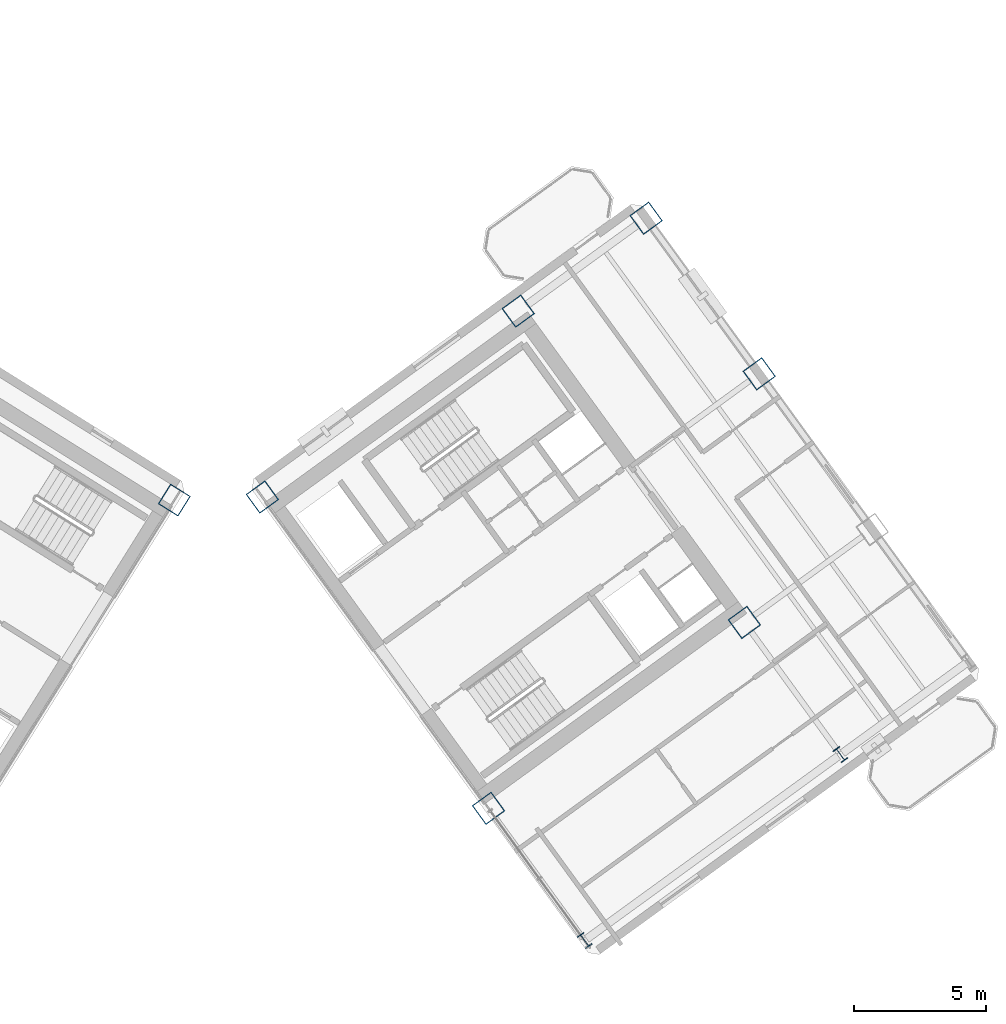
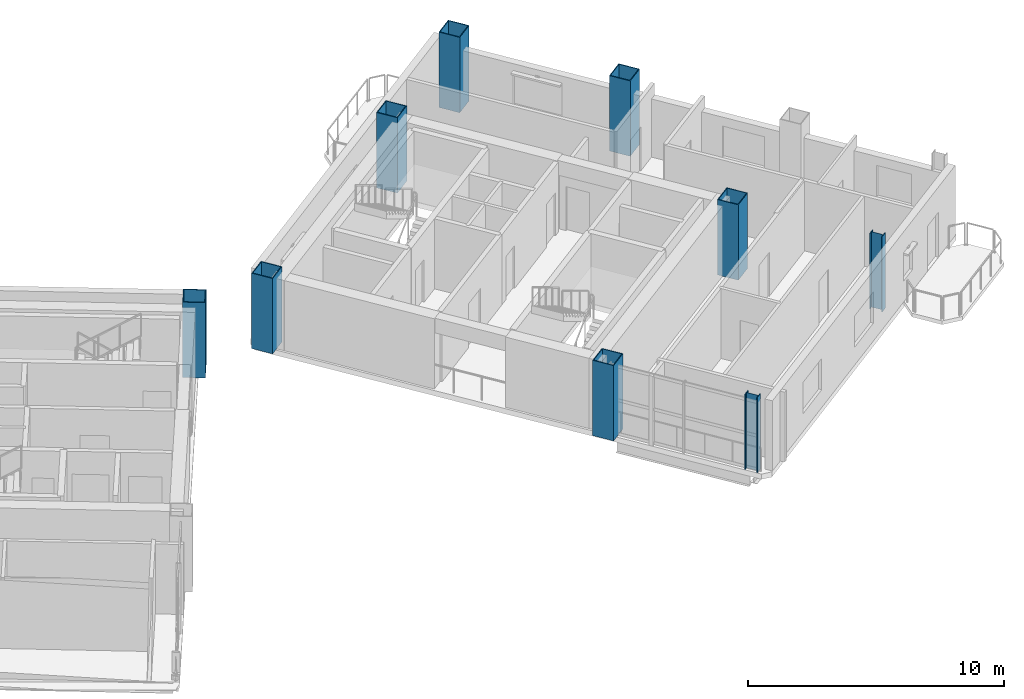
# One storey, part 2 of 19: 9 columns.
"""IFC4 building model written with IfcOpenShell, lengths in metres."""

import ifcopenshell
import ifcopenshell.guid

model = None  # the IFC model being written
_history = None  # IfcOwnerHistory: only IFC2X3 demands one
_inside = {}  # id of a spatial element -> (the spatial element, [elements in it])
_under = {}  # id of a project, library or spatial element -> (it, [spatial elements below it])
_declared = {}  # id of a project -> (the project, [libraries it declares])
_typed = {}  # id of a type object -> (the type object, [elements of that type])
_made_of = {}  # id of a material, layer set ... -> (it, [elements and type objects made of it])


def new_model(schema):
    """Start an empty IFC model of exactly this schema.

    Asked for "IFC4X3", IfcOpenShell would pick the latest addendum, in which some entities
    have other attributes; the version numbers below select the first issue.
    IFC2X3 requires an IfcOwnerHistory on every rooted entity: one is made here for all.
    """
    global model, _history
    if schema == "IFC4X3":
        model = ifcopenshell.file(schema_version=(4, 3, 0, 0))
    else:
        model = ifcopenshell.file(schema=schema)
    _inside.clear()
    _under.clear()
    _declared.clear()
    _typed.clear()
    _made_of.clear()
    _history = None
    if model.schema == "IFC2X3":
        org = make("IfcOrganization", Name="unknown")
        user = make(
            "IfcPersonAndOrganization",
            ThePerson=make("IfcPerson", FamilyName="unknown"),
            TheOrganization=org,
        )
        app = make(
            "IfcApplication",
            ApplicationDeveloper=org,
            Version="unknown",
            ApplicationFullName="unknown",
            ApplicationIdentifier="unknown",
        )
        _history = make(
            "IfcOwnerHistory",
            OwningUser=user,
            OwningApplication=app,
            ChangeAction="ADDED",
            CreationDate=0,
        )
    return model


def make(cls, **values):
    """One entity of the class cls with the attributes given. An attribute that is None is left unset."""
    return model.create_entity(
        cls, **{name: value for name, value in values.items() if value is not None}
    )


def rooted(cls, **values):
    """An entity with a GlobalId (a new one), such as an element, a storey or a relation."""
    return make(cls, GlobalId=ifcopenshell.guid.new(), OwnerHistory=_history, **values)


def si_unit(unit_type, name, prefix=None):
    """IfcSIUnit, for example si_unit("LENGTHUNIT", "METRE", prefix="MILLI")."""
    return make("IfcSIUnit", UnitType=unit_type, Prefix=prefix, Name=name)


def assignment(units):
    """IfcUnitAssignment: the units of a project."""
    return None if units is None else make("IfcUnitAssignment", Units=units)


def point(xyz):
    """IfcCartesianPoint."""
    return None if xyz is None else make("IfcCartesianPoint", Coordinates=xyz)


def direction(xyz):
    """IfcDirection."""
    return None if xyz is None else make("IfcDirection", DirectionRatios=xyz)


def frame(location, z_axis=None, x_axis=None):
    """IfcAxis2Placement3D, a coordinate frame: its origin and axes. An axis left out is left unset."""
    return make(
        "IfcAxis2Placement3D",
        Location=point(location),
        Axis=direction(z_axis),
        RefDirection=direction(x_axis),
    )


def frame_2d(location, x_axis=None):
    """IfcAxis2Placement2D, a coordinate frame in the plane: its origin and x axis."""
    return make(
        "IfcAxis2Placement2D", Location=point(location), RefDirection=direction(x_axis)
    )


def origin():
    """The frame at (0, 0, 0) with its axes left unset."""
    return frame((0.0, 0.0, 0.0))


def origin_2d():
    """The frame at (0, 0) in the plane with its x axis left unset."""
    return frame_2d((0.0, 0.0))


def place(relative_to, where):
    """IfcLocalPlacement: puts the frame where relative to a parent placement (None: the world)."""
    return make(
        "IfcLocalPlacement", PlacementRelTo=relative_to, RelativePlacement=where
    )


def context(
    kind, dimensions, precision=None, world=None, true_north=None, identifier=None
):
    """IfcGeometricRepresentationContext, for example the 3D "Model" context."""
    return make(
        "IfcGeometricRepresentationContext",
        ContextIdentifier=identifier,
        ContextType=kind,
        CoordinateSpaceDimension=dimensions,
        Precision=precision,
        WorldCoordinateSystem=world,
        TrueNorth=true_north,
    )


def subcontext(parent, identifier, kind, view, scale=None):
    """IfcGeometricRepresentationSubContext, for example "Body" below "Model"."""
    return make(
        "IfcGeometricRepresentationSubContext",
        ContextIdentifier=identifier,
        ContextType=kind,
        ParentContext=parent,
        TargetScale=scale,
        TargetView=view,
    )


def project(units=None, contexts=None):
    """IfcProject with its units and contexts."""
    return rooted(
        "IfcProject",
        Name="project",
        RepresentationContexts=contexts,
        UnitsInContext=assignment(units),
    )


def spatial(cls, under=None, at=None, **own):
    """A site, building, storey or space (cls), placed at a placement, below another one or the project."""
    s = rooted(cls, ObjectPlacement=at, **own)
    if under is not None:
        _under.setdefault(under.id(), (under, []))[1].append(s)
    return s


def profile(cls, at=None, kind="AREA", **sizes):
    """A parametric profile (cls). Its sizes go by their IFC names, for example OverallWidth=200.0."""
    return make(cls, ProfileType=kind, Position=at, **sizes)


def hollow_rectangle(**sizes):
    """IfcRectangleHollowProfileDef."""
    return profile("IfcRectangleHollowProfileDef", **sizes)


def i_section(**sizes):
    """IfcIShapeProfileDef."""
    return profile("IfcIShapeProfileDef", **sizes)


def extrude(swept, where, along, depth):
    """IfcExtrudedAreaSolid: the profile swept, set in the frame where, extruded along a direction by depth."""
    return make(
        "IfcExtrudedAreaSolid",
        SweptArea=swept,
        Position=where,
        ExtrudedDirection=direction(along),
        Depth=depth,
    )


def shape(context_of_items, identifier, shape_type, items):
    """IfcShapeRepresentation: the items that make up one representation, for example the "Body"."""
    return make(
        "IfcShapeRepresentation",
        ContextOfItems=context_of_items,
        RepresentationIdentifier=identifier,
        RepresentationType=shape_type,
        Items=items,
    )


def source(mapping_origin, context_of_items, identifier, shape_type, items):
    """IfcRepresentationMap: a shape defined once, which mapped items show again and again."""
    return make(
        "IfcRepresentationMap",
        MappingOrigin=mapping_origin,
        MappedRepresentation=shape(context_of_items, identifier, shape_type, items),
    )


def transform(
    local_origin,
    x_axis=None,
    y_axis=None,
    z_axis=None,
    scale=None,
    scale2=None,
    scale3=None,
    uniform=True,
):
    """IfcCartesianTransformationOperator3D, or its non-uniform kind. x_axis, y_axis, z_axis: its Axis1, 2, 3."""
    if uniform:
        return make(
            "IfcCartesianTransformationOperator3D",
            Axis1=direction(x_axis),
            Axis2=direction(y_axis),
            LocalOrigin=point(local_origin),
            Scale=scale,
            Axis3=direction(z_axis),
        )
    return make(
        "IfcCartesianTransformationOperator3DnonUniform",
        Axis1=direction(x_axis),
        Axis2=direction(y_axis),
        LocalOrigin=point(local_origin),
        Scale=scale,
        Axis3=direction(z_axis),
        Scale2=scale2,
        Scale3=scale3,
    )


def mapped(mapping_source, mapping_target):
    """IfcMappedItem: shows the shape of a source again, moved by a transform."""
    return make(
        "IfcMappedItem", MappingSource=mapping_source, MappingTarget=mapping_target
    )


def material(Name=None, Category=None):
    """IfcMaterial."""
    return make("IfcMaterial", Name=Name, Category=Category)


def material_profile(
    of_material, cross_section, Name=None, Category=None, Priority=None
):
    """IfcMaterialProfile: a cross section and its material."""
    return make(
        "IfcMaterialProfile",
        Name=Name,
        Material=of_material,
        Profile=cross_section,
        Priority=Priority,
        Category=Category,
    )


def profile_set(profiles, Name=None, composite=None):
    """IfcMaterialProfileSet."""
    return make(
        "IfcMaterialProfileSet",
        Name=Name,
        MaterialProfiles=profiles,
        CompositeProfile=composite,
    )


def made_of(thing, what):
    """Note that an element or type object is made of a material, layer set ...; save() writes the relation."""
    if what is not None:
        _made_of.setdefault(what.id(), (what, []))[1].append(thing)
    return thing


def type_object(cls, material=None, **own):
    """A type object (cls), such as IfcWallType, which elements share."""
    return made_of(rooted(cls, **own), material)


def element(
    cls,
    number,
    at=None,
    inside=None,
    cuts=None,
    type_object=None,
    material=None,
    context=None,
    identifier="Body",
    shape_type=None,
    held_by="IfcProductDefinitionShape",
    body=None,
    shapes=None,
    **own,
):
    """One element of the class cls, such as IfcWall. Its Tag is "e" and its number.

    at: its placement. inside: the storey or other place that contains it. cuts: it is an
    opening in that element (IfcRelVoidsElement). A single representation is given by context,
    identifier, shape_type and body (its items); several are given by shapes. held_by: the class
    of the entity that holds the representations. save() writes the other relations.
    """
    e = rooted(cls, Tag="e%d" % number, ObjectPlacement=at, **own)
    if body is not None:
        shapes = [shape(context, identifier, shape_type, body)]
    if shapes is not None:
        e.Representation = make(held_by, Representations=shapes)
    if inside is not None:
        _inside.setdefault(inside.id(), (inside, []))[1].append(e)
    if cuts is not None:
        rooted(
            "IfcRelVoidsElement", RelatingBuildingElement=cuts, RelatedOpeningElement=e
        )
    if type_object is not None:
        _typed.setdefault(type_object.id(), (type_object, []))[1].append(e)
    return made_of(e, material)


def aggregate(whole, parts):
    """IfcRelAggregates: a whole, such as a stair, and the parts it consists of."""
    return rooted("IfcRelAggregates", RelatingObject=whole, RelatedObjects=parts)


def save(model, path):
    """Write the relations noted so far, then the file.

    IfcRelAggregates (storeys below a building ...), IfcRelContainedInSpatialStructure (elements
    in a storey), IfcRelDefinesByType, IfcRelAssociatesMaterial and IfcRelDeclares: one each for
    every whole, place, type object, material and project.
    """
    for whole, parts in _under.values():
        aggregate(whole, parts)
    for where, things in _inside.values():
        rooted(
            "IfcRelContainedInSpatialStructure",
            RelatedElements=things,
            RelatingStructure=where,
        )
    for kind, things in _typed.values():
        rooted("IfcRelDefinesByType", RelatedObjects=things, RelatingType=kind)
    for what, things in _made_of.values():
        rooted("IfcRelAssociatesMaterial", RelatedObjects=things, RelatingMaterial=what)
    for by, libraries in _declared.values():
        rooted("IfcRelDeclares", RelatingContext=by, RelatedDefinitions=libraries)
    model.write(path)


model = new_model("IFC4")

# Units and contexts
model_context = context("Model", 3, precision=1e-05, world=origin(), true_north=direction((0.0, 1.0)))
body_context = subcontext(model_context, "Body", "Model", "MODEL_VIEW")
ifc_project = project(units=[si_unit("LENGTHUNIT", "METRE"), si_unit("AREAUNIT", "SQUARE_METRE"), si_unit("VOLUMEUNIT", "CUBIC_METRE"), si_unit("PLANEANGLEUNIT", "RADIAN"), si_unit("MASSUNIT", "GRAM", prefix="KILO")], contexts=[model_context])

# Site, building, storey
site_placement = place(None, origin())
site = spatial("IfcSite", under=ifc_project, at=site_placement, CompositionType="ELEMENT")
building_placement = place(site_placement, origin())
building = spatial("IfcBuilding", under=site, at=building_placement, Name="Tlacorven Tower", CompositionType="ELEMENT")
storey_placement = place(building_placement, frame((0.0, 0.0, 147.89990234375)))
storey = spatial("IfcBuildingStorey", under=building, at=storey_placement, Name="L37", CompositionType="ELEMENT", Elevation=147.89990234375)

# Columns
ifc_material = material(Name="Steel S460M", Category="steel")
ifc_material_profile_1 = material_profile(ifc_material, hollow_rectangle(XDim=0.89990234375, YDim=0.89990234375, WallThickness=0.035888671875, at=origin_2d()), Name="BOX 900X900X36")
ifc_profile_set_1 = profile_set([ifc_material_profile_1], Name="Steel S460M")
column_type_1 = type_object("IfcColumnType", Name="COL-TWR-S2", PredefinedType="COLUMN", material=ifc_profile_set_1)
shared_shape_1 = source(origin(), body_context, "Body", "SweptSolid", [
    extrude(hollow_rectangle(XDim=0.89990234375, YDim=0.89990234375, WallThickness=0.035888671875, at=origin_2d()), origin(), (0.0, 0.0, 1.0), 3.60009765625),
])
for number, where, z_axis, x_axis, name in (
    (1, (40.782958984375, 24.468505859375, 0.0), (0.0, 0.0, 1.0), (-0.848048096156, 0.529919264233, 0.0), "L37 column COL-L37-W1-1"),
    (2, (52.705322265625, 12.7734375, 0.0), (0.0, 0.0, 1.0), (0.809016994375, 0.587785252292, 0.0), "L37 column COL-L37-E1-2"),
    (3, (44.123779296875, 24.5849609375, 0.0), (0.0, 0.0, 1.0), (0.809016994375, 0.587785252292, 0.0), "L37 column COL-L37-E1-4"),
    (4, (62.41357421875, 19.826904296875, 0.0), (0.0, 0.0, 1.0), (0.809016994375, 0.587785252292, 0.0), "L37 column COL-L37-E3-2"),
    (5, (53.83203125, 31.638427734375, 0.0), (0.0, 0.0, 1.0), (0.809016994375, 0.587785252292, 0.0), "L37 column COL-L37-E3-4"),
    (6, (62.976806640625, 29.25927734375, 0.0), (0.0, 0.0, 1.0), (0.809016994375, 0.587785252292, 0.0), "L37 column COL-L37-E4-3"),
    (7, (58.68603515625, 35.165283203125, 0.0), (0.0, 0.0, 1.0), (0.809016994375, 0.587785252292, 0.0), "L37 column COL-L37-E4-4"),
):
    element("IfcColumn", number, at=place(storey_placement, frame(where, z_axis=z_axis, x_axis=x_axis)), inside=storey, type_object=column_type_1, Name=name, PredefinedType="COLUMN", context=body_context, shape_type="MappedRepresentation", body=[
        mapped(shared_shape_1, transform((0.0, 0.0, 0.0), scale=1.0)),
    ])
ifc_material_profile_2 = material_profile(ifc_material, i_section(OverallWidth=0.300048828125, OverallDepth=0.550048828125, WebThickness=0.014892578125, FlangeThickness=0.029052734375, at=origin_2d()), Name="HEB 550")
ifc_profile_set_2 = profile_set([ifc_material_profile_2], Name="Steel S460M")
column_type_2 = type_object("IfcColumnType", Name="COL-TWR-P2", PredefinedType="COLUMN", material=ifc_profile_set_2)
shared_shape_2 = source(origin(), body_context, "Body", "SweptSolid", [
    extrude(i_section(OverallWidth=0.300048828125, OverallDepth=0.550048828125, WebThickness=0.014892578125, FlangeThickness=0.029052734375, at=origin_2d()), origin(), (0.0, 0.0, 1.0), 3.60009765625),
])
for number, where, z_axis, x_axis, name in (
    (8, (56.349609375, 7.757568359375, 0.0), (0.0, 0.0, 1.0), (0.809016994375, 0.587785252292, 0.0), "L37 column COL-L37-E1-1"),
    (9, (66.057861328125, 14.81103515625, 0.0), (0.0, 0.0, 1.0), (0.809016994375, 0.587785252292, 0.0), "L37 column COL-L37-E3-1"),
):
    element("IfcColumn", number, at=place(storey_placement, frame(where, z_axis=z_axis, x_axis=x_axis)), inside=storey, type_object=column_type_2, Name=name, PredefinedType="COLUMN", context=body_context, shape_type="MappedRepresentation", body=[
        mapped(shared_shape_2, transform((0.0, 0.0, 0.0), scale=1.0)),
    ])

save(model, "model.ifc")
